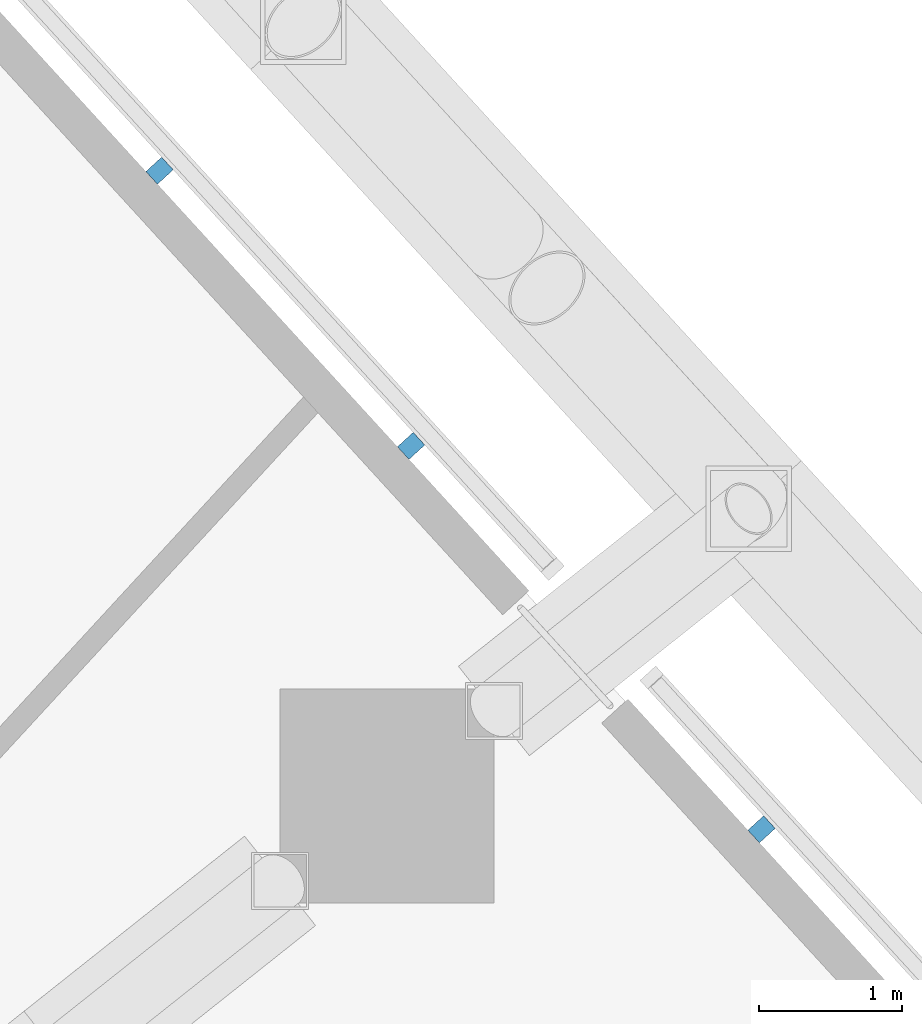
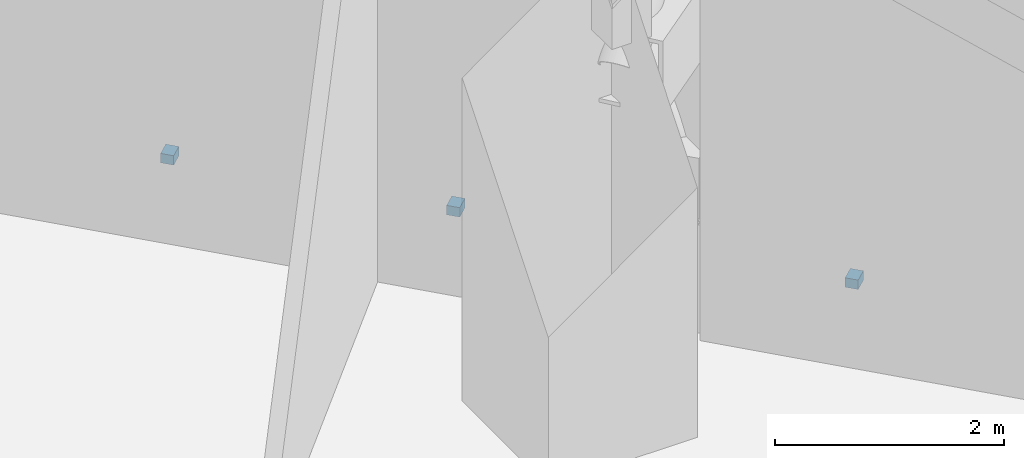
# One storey, part 29 of 38: 3 discrete accessories, 1 element without a shape of its own.
"""IFC4 building model written with IfcOpenShell, lengths in metres."""

from ifc_helpers import new_model, si_unit, direction, frame, origin, origin_2d, place, context, subcontext, project, spatial, rectangle, extrude, material, layer, layer_set, type_object, element, aggregate, save


model = new_model("IFC4")

# Units and contexts
model_context = context("Model", 3, precision=1e-05, world=origin(), true_north=direction((0.0, 1.0)))
body_context = subcontext(model_context, "Body", "Model", "MODEL_VIEW")
ifc_project = project(units=[si_unit("LENGTHUNIT", "METRE"), si_unit("AREAUNIT", "SQUARE_METRE"), si_unit("VOLUMEUNIT", "CUBIC_METRE"), si_unit("PLANEANGLEUNIT", "RADIAN"), si_unit("MASSUNIT", "GRAM", prefix="KILO")], contexts=[model_context])

# Site, building, storey
site_placement = place(None, origin())
site = spatial("IfcSite", under=ifc_project, at=site_placement, CompositionType="ELEMENT")
building_placement = place(site_placement, origin())
building = spatial("IfcBuilding", under=site, at=building_placement, Name="Dongbaek Canopy Tower", CompositionType="ELEMENT")
storey_placement = place(building_placement, frame((0.0, 0.0, 89.199951171875)))
storey = spatial("IfcBuildingStorey", under=building, at=storey_placement, Name="L18", CompositionType="ELEMENT", Elevation=89.199951171875)

# Curtain wall, discrete accessories
ifc_material_1 = material(Name="Aluminium 6063-T6 pale anodised", Category="aluminium")
ifc_layer = layer(ifc_material_1, 0.14990234375)
ifc_layer_set = layer_set([ifc_layer], Name="CW-7 louvre curtain wall")
curtain_wall_type = type_object("IfcCurtainWallType", Name="CW-7 louvre curtain wall", PredefinedType="NOTDEFINED", material=ifc_layer_set)
curtain_wall_placement = place(storey_placement, origin())
curtain_wall = element("IfcCurtainWall", 1, at=curtain_wall_placement, inside=storey, type_object=curtain_wall_type, Name="CW-7 louvre wall L18 F0", PredefinedType="NOTDEFINED")
ifc_material_2 = material(Name="Galvanised steel S355 bracket", Category="steel")
discrete_accessory_type = type_object("IfcDiscreteAccessoryType", Name="Louvre bracket BR1", PredefinedType="BRACKET", material=ifc_material_2)
discrete_accessory_1_placement = place(storey_placement, frame((29.10888671875, 20.794677734375, 0.6650390625), z_axis=(0.0, 0.0, 1.0), x_axis=(-0.674646668897, 0.738140821352, 0.0)))
discrete_accessory_1 = element("IfcDiscreteAccessory", 2, at=discrete_accessory_1_placement, type_object=discrete_accessory_type, Name="Louvre bracket L18 F0.2.3", PredefinedType="BRACKET", context=body_context, shape_type="SweptSolid", body=[
    extrude(rectangle(XDim=0.1201171875, YDim=0.14990234375, at=origin_2d()), origin(), (0.0, 0.0, 1.0), 0.10009765625),
])
discrete_accessory_2_placement = place(storey_placement, frame((26.651123046875, 23.48388671875, 0.6650390625), z_axis=(0.0, 0.0, 1.0), x_axis=(-0.674646668897, 0.738140821352, 0.0)))
discrete_accessory_2 = element("IfcDiscreteAccessory", 3, at=discrete_accessory_2_placement, type_object=discrete_accessory_type, Name="Louvre bracket L18 F0.3.1", PredefinedType="BRACKET", context=body_context, shape_type="SweptSolid", body=[
    extrude(rectangle(XDim=0.1201171875, YDim=0.14990234375, at=origin_2d()), origin(), (0.0, 0.0, 1.0), 0.10009765625),
])
discrete_accessory_3_placement = place(storey_placement, frame((24.88671875, 25.4140625, 0.6650390625), z_axis=(0.0, 0.0, 1.0), x_axis=(-0.674646668897, 0.738140821352, 0.0)))
discrete_accessory_3 = element("IfcDiscreteAccessory", 4, at=discrete_accessory_3_placement, type_object=discrete_accessory_type, Name="Louvre bracket L18 F0.3.2", PredefinedType="BRACKET", context=body_context, shape_type="SweptSolid", body=[
    extrude(rectangle(XDim=0.1201171875, YDim=0.14990234375, at=origin_2d()), origin(), (0.0, 0.0, 1.0), 0.10009765625),
])
aggregate(curtain_wall, [discrete_accessory_1, discrete_accessory_2, discrete_accessory_3])

save(model, "model.ifc")
